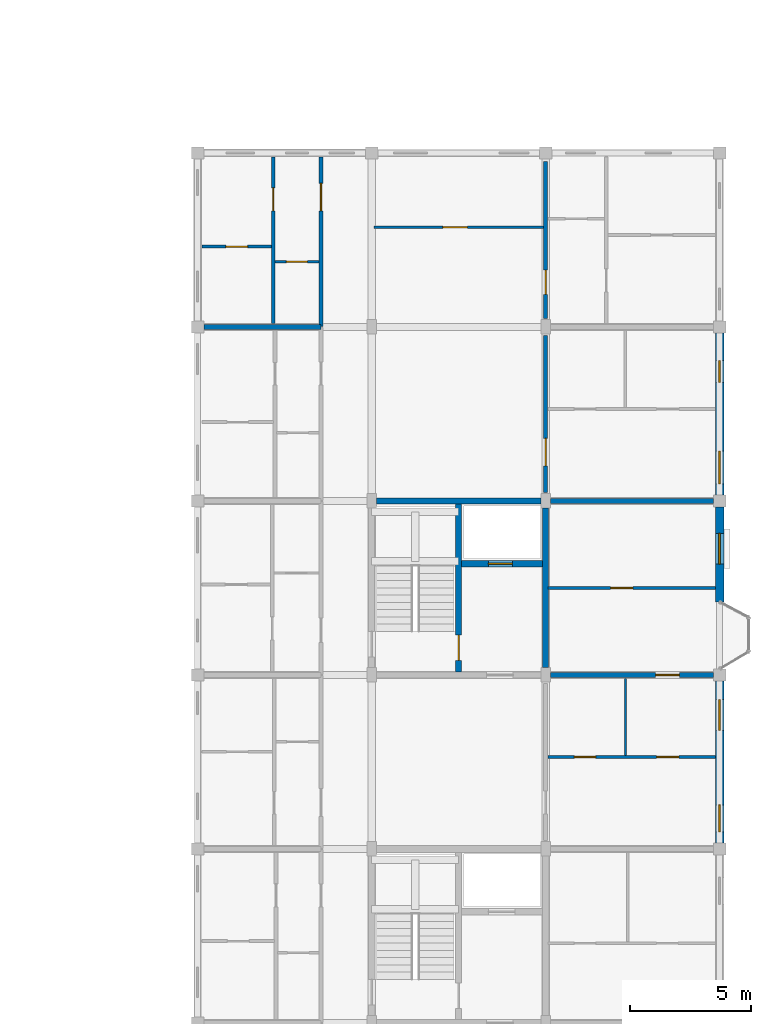
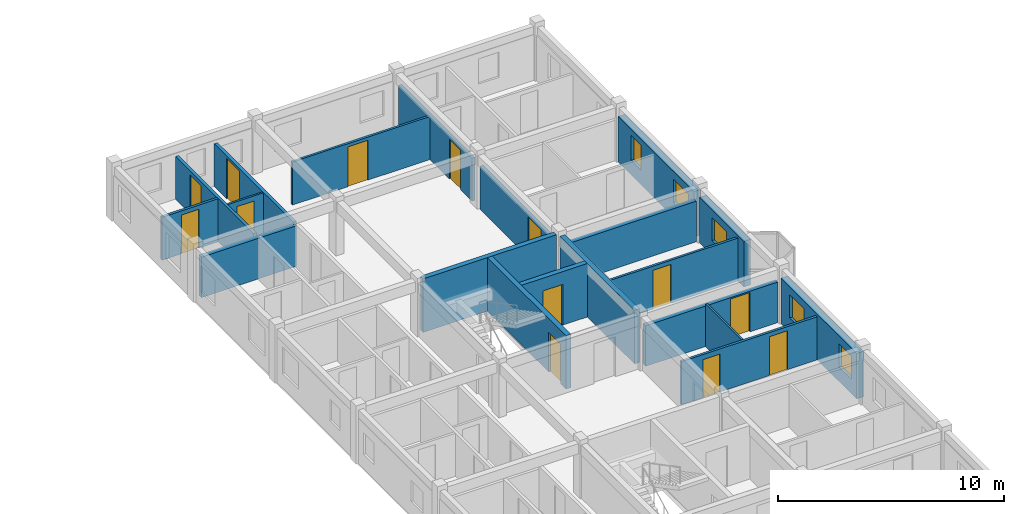
# One storey, part 53 of 65: 20 walls, 13 doors, 5 windows, 18 openings.
"""IFC4 building model written with IfcOpenShell, lengths in metres."""

from ifc_helpers import new_model, si_unit, direction, frame, frame_2d, origin, place, context, subcontext, project, spatial, rectangle, extrude, material, layer, layer_set, type_object, element, fill, save


model = new_model("IFC4")

# Units and contexts
model_context = context("Model", 3, precision=1e-05, world=origin(), true_north=direction((0.0, 1.0)))
body_context = subcontext(model_context, "Body", "Model", "MODEL_VIEW")
ifc_project = project(units=[si_unit("LENGTHUNIT", "METRE"), si_unit("AREAUNIT", "SQUARE_METRE"), si_unit("VOLUMEUNIT", "CUBIC_METRE"), si_unit("PLANEANGLEUNIT", "RADIAN"), si_unit("MASSUNIT", "GRAM", prefix="KILO"), si_unit("THERMODYNAMICTEMPERATUREUNIT", "KELVIN"), si_unit("POWERUNIT", "WATT")], contexts=[model_context])

# Site, building, storey
site_placement = place(None, origin())
site = spatial("IfcSite", under=ifc_project, at=site_placement, CompositionType="ELEMENT")
building_placement = place(site_placement, origin())
building = spatial("IfcBuilding", under=site, at=building_placement, Name="Tavuni Mirador Residences", CompositionType="ELEMENT")
storey_placement = place(building_placement, frame((0.0, 0.0, 29.699951171875)))
storey = spatial("IfcBuildingStorey", under=building, at=storey_placement, Name="L09", CompositionType="ELEMENT", Elevation=29.699951171875)

# Walls
ifc_material_1 = material(Name="Precast concrete C40/50", Category="concrete")
ifc_layer_1 = layer(ifc_material_1, 0.25, Name="Precast concrete C40/50", Category="concrete")
ifc_layer_set_1 = layer_set([ifc_layer_1], Name="Precast concrete C40/50")
wall_type_1 = type_object("IfcWallType", Name="WT-COR250", PredefinedType="SHEAR", material=ifc_layer_set_1)
wall_1_placement = place(storey_placement, frame((104.60009765625, 115.199951171875, 0.0), z_axis=(0.0, 0.0, 1.0), x_axis=(1.0, 0.0, 0.0)))
element("IfcWall", 1, at=wall_1_placement, inside=storey, type_object=wall_type_1, Name="CWALL-C8-L09-N", PredefinedType="SHEAR", context=body_context, shape_type="SweptSolid", body=[
    extrude(rectangle(XDim=6.7998046875, YDim=0.25, at=frame_2d((3.39990234375, 0.0))), origin(), (0.0, 0.0, 1.0), 2.89013671875),
])
wall_2_placement = place(storey_placement, frame((111.60009765625, 108.300048828125, 0.0), z_axis=(0.0, 0.0, 1.0), x_axis=(0.0, 1.0, 0.0)))
element("IfcWall", 2, at=wall_2_placement, inside=storey, type_object=wall_type_1, Name="CWALL-C8-L09-E", PredefinedType="SHEAR", context=body_context, shape_type="SweptSolid", body=[
    extrude(rectangle(XDim=6.599853515625, YDim=0.25, at=frame_2d((3.2998046875, 0.0))), origin(), (0.0, 0.0, 1.0), 2.89013671875),
])

# Wall, opening, door
wall_3_placement = place(storey_placement, frame((108.0, 108.125, 0.0), z_axis=(0.0, 0.0, 1.0), x_axis=(0.0, 1.0, 0.0)))
wall_3 = element("IfcWall", 3, at=wall_3_placement, inside=storey, type_object=wall_type_1, Name="CWALL-C8-L09-MID", PredefinedType="SHEAR", context=body_context, shape_type="SweptSolid", body=[
    extrude(rectangle(XDim=6.949951171875, YDim=0.25, at=frame_2d((3.47509765625, 0.0))), origin(), (0.0, 0.0, 1.0), 2.89013671875),
])
opening_1_placement = place(wall_3_placement, frame((0.47509765625, 0.0, 0.0)))
opening_1 = element("IfcOpeningElement", 4, at=opening_1_placement, cuts=wall_3, Name="Opening D-01", PredefinedType="OPENING", context=body_context, shape_type="SweptSolid", body=[
    extrude(rectangle(XDim=1.050048828125, YDim=2.14990234375, at=frame_2d((0.52490234375, 1.074951171875))), frame((0.0, 0.135009765625, 0.0), z_axis=(0.0, -1.0, 0.0), x_axis=(1.0, 0.0, 0.0)), (0.0, 0.0, 1.0), 0.27001953125),
])
ifc_material_2 = material(Name="Solid core iroko timber", Category="wood")
door_type_1 = type_object("IfcDoorType", Name="DT-ST1050", OperationType="NOTDEFINED", PredefinedType="DOOR", material=ifc_material_2)
door_1_placement = place(opening_1_placement, origin())
door_1 = element("IfcDoor", 5, at=door_1_placement, inside=storey, type_object=door_type_1, Name="DR-2351", OperationType="SINGLE_SWING_LEFT", OverallHeight=2.14990234375, OverallWidth=1.050048828125, PredefinedType="DOOR", context=body_context, shape_type="SweptSolid", body=[
    extrude(rectangle(XDim=1.050048828125, YDim=2.14990234375, at=frame_2d((0.52490234375, 1.074951171875))), frame((0.0, 0.02490234375, 0.0), z_axis=(0.0, -1.0, 0.0), x_axis=(1.0, 0.0, 0.0)), (0.0, 0.0, 1.0), 0.050048828125),
])
fill(opening_1, door_1)

wall_4_placement = place(storey_placement, frame((108.125, 112.60009765625, 0.0), z_axis=(0.0, 0.0, 1.0), x_axis=(1.0, 0.0, 0.0)))
wall_4 = element("IfcWall", 6, at=wall_4_placement, inside=storey, type_object=wall_type_1, Name="CWALL-C8-L09-SHF", PredefinedType="SHEAR", context=body_context, shape_type="SweptSolid", body=[
    extrude(rectangle(XDim=3.35009765625, YDim=0.25, at=frame_2d((1.675048828125, 0.0))), origin(), (0.0, 0.0, 1.0), 2.89013671875),
])
opening_2_placement = place(wall_4_placement, frame((1.10009765625, 0.0, 0.0)))
opening_2 = element("IfcOpeningElement", 7, at=opening_2_placement, cuts=wall_4, Name="Opening LD-02", PredefinedType="OPENING", context=body_context, shape_type="SweptSolid", body=[
    extrude(rectangle(XDim=1.0, YDim=2.199951171875, at=frame_2d((0.5, 1.10009765625))), frame((0.0, 0.135009765625, 0.0), z_axis=(0.0, -1.0, 0.0), x_axis=(1.0, 0.0, 0.0)), (0.0, 0.0, 1.0), 0.27001953125),
])
ifc_material_3 = material(Name="Structural steel S355", Category="steel")
door_type_2 = type_object("IfcDoorType", Name="DT-LD-PAX", OperationType="SLIDING_TO_LEFT", PredefinedType="DOOR", material=ifc_material_3)
door_2_placement = place(opening_2_placement, origin())
door_2 = element("IfcDoor", 8, at=door_2_placement, inside=storey, type_object=door_type_2, Name="Lift landing door PL-D1 L09", OperationType="SLIDING_TO_LEFT", OverallHeight=2.199951171875, OverallWidth=1.0, PredefinedType="DOOR", context=body_context, shape_type="SweptSolid", body=[
    extrude(rectangle(XDim=1.0, YDim=2.199951171875, at=frame_2d((0.5, 1.10009765625))), frame((0.0, 0.02490234375, 0.0), z_axis=(0.0, -1.0, 0.0), x_axis=(1.0, 0.0, 0.0)), (0.0, 0.0, 1.0), 0.050048828125),
])
fill(opening_2, door_2)

ifc_layer_2 = layer(ifc_material_1, 0.1650390625, Name="Precast concrete C40/50", Category="concrete")
ifc_layer_set_2 = layer_set([ifc_layer_2], Name="Precast concrete C40/50")
wall_type_2 = type_object("IfcWallType", Name="WT-CORR165", PredefinedType="PARTITIONING", material=ifc_layer_set_2)
wall_5_placement = place(storey_placement, frame((102.300048828125, 122.419921875, 0.0), z_axis=(0.0, 0.0, 1.0), x_axis=(0.0, 1.0, 0.0)))
wall_5 = element("IfcWall", 9, at=wall_5_placement, inside=storey, type_object=wall_type_2, Name="CORW-BLK-D-L09-0-05", PredefinedType="PARTITIONING", context=body_context, shape_type="SweptSolid", body=[
    extrude(rectangle(XDim=7.005126953125, YDim=0.1650390625, at=frame_2d((3.50244140625, 0.0))), origin(), (0.0, 0.0, 1.0), 2.324951171875),
])
opening_3_placement = place(wall_5_placement, frame((4.780029296875, 0.0, 0.0)))
opening_3 = element("IfcOpeningElement", 10, at=opening_3_placement, cuts=wall_5, Name="Opening D-20", PredefinedType="OPENING", context=body_context, shape_type="SweptSolid", body=[
    extrude(rectangle(XDim=1.139892578125, YDim=2.179931640625, at=frame_2d((0.56982421875, 1.08984375))), frame((0.0, 0.092529296875, 0.0), z_axis=(0.0, -1.0, 0.0), x_axis=(1.0, 0.0, 0.0)), (0.0, 0.0, 1.0), 0.18505859375),
])
door_type_3 = type_object("IfcDoorType", Name="DT-FD60-1140", OperationType="NOTDEFINED", PredefinedType="DOOR", material=ifc_material_2)
door_3_placement = place(opening_3_placement, origin())
door_3 = element("IfcDoor", 11, at=door_3_placement, inside=storey, type_object=door_type_3, Name="DR-2918", OperationType="SINGLE_SWING_LEFT", OverallHeight=2.179931640625, OverallWidth=1.139892578125, PredefinedType="DOOR", context=body_context, shape_type="SweptSolid", body=[
    extrude(rectangle(XDim=1.139892578125, YDim=2.179931640625, at=frame_2d((0.56982421875, 1.08984375))), frame((0.0, 0.02490234375, 0.0), z_axis=(0.0, -1.0, 0.0), x_axis=(1.0, 0.0, 0.0)), (0.0, 0.0, 1.0), 0.050048828125),
])
fill(opening_3, door_3)

wall_6_placement = place(storey_placement, frame((111.60009765625, 115.550048828125, 0.0), z_axis=(0.0, 0.0, 1.0), x_axis=(0.0, 1.0, 0.0)))
wall_6 = element("IfcWall", 12, at=wall_6_placement, inside=storey, type_object=wall_type_2, Name="CORW-BLK-D-L09-1-04", PredefinedType="PARTITIONING", context=body_context, shape_type="SweptSolid", body=[
    extrude(rectangle(XDim=6.5, YDim=0.1650390625, at=frame_2d((3.25, 0.0))), origin(), (0.0, 0.0, 1.0), 2.324951171875),
])
opening_4_placement = place(wall_6_placement, frame((1.10009765625, 0.0, 0.0)))
opening_4 = element("IfcOpeningElement", 13, at=opening_4_placement, cuts=wall_6, Name="Opening D-20", PredefinedType="OPENING", context=body_context, shape_type="SweptSolid", body=[
    extrude(rectangle(XDim=1.139892578125, YDim=2.179931640625, at=frame_2d((0.56982421875, 1.08984375))), frame((0.0, 0.092529296875, 0.0), z_axis=(0.0, -1.0, 0.0), x_axis=(1.0, 0.0, 0.0)), (0.0, 0.0, 1.0), 0.18505859375),
])
door_4_placement = place(opening_4_placement, origin())
door_4 = element("IfcDoor", 14, at=door_4_placement, inside=storey, type_object=door_type_3, Name="DR-2921", OperationType="SINGLE_SWING_RIGHT", OverallHeight=2.179931640625, OverallWidth=1.139892578125, PredefinedType="DOOR", context=body_context, shape_type="SweptSolid", body=[
    extrude(rectangle(XDim=1.139892578125, YDim=2.179931640625, at=frame_2d((0.56982421875, 1.08984375))), frame((0.0, 0.02490234375, 0.0), z_axis=(0.0, -1.0, 0.0), x_axis=(1.0, 0.0, 0.0)), (0.0, 0.0, 1.0), 0.050048828125),
])
fill(opening_4, door_4)

wall_7_placement = place(storey_placement, frame((111.60009765625, 122.75, 0.0), z_axis=(0.0, 0.0, 1.0), x_axis=(0.0, 1.0, 0.0)))
wall_7 = element("IfcWall", 15, at=wall_7_placement, inside=storey, type_object=wall_type_2, Name="CORW-BLK-D-L09-1-05", PredefinedType="PARTITIONING", context=body_context, shape_type="SweptSolid", body=[
    extrude(rectangle(XDim=6.5, YDim=0.1650390625, at=frame_2d((3.25, 0.0))), origin(), (0.0, 0.0, 1.0), 2.324951171875),
])
opening_5_placement = place(wall_7_placement, frame((1.0, 0.0, 0.0)))
opening_5 = element("IfcOpeningElement", 16, at=opening_5_placement, cuts=wall_7, Name="Opening D-03", PredefinedType="OPENING", context=body_context, shape_type="SweptSolid", body=[
    extrude(rectangle(XDim=1.0, YDim=2.14990234375, at=frame_2d((0.5, 1.074951171875))), frame((0.0, 0.092529296875, 0.0), z_axis=(0.0, -1.0, 0.0), x_axis=(1.0, 0.0, 0.0)), (0.0, 0.0, 1.0), 0.18505859375),
])
door_type_4 = type_object("IfcDoorType", Name="DT-FD60-1000", OperationType="NOTDEFINED", PredefinedType="DOOR", material=ifc_material_2)
door_5_placement = place(opening_5_placement, origin())
door_5 = element("IfcDoor", 17, at=door_5_placement, inside=storey, type_object=door_type_4, Name="DR-2922", OperationType="SINGLE_SWING_LEFT", OverallHeight=2.14990234375, OverallWidth=1.0, PredefinedType="DOOR", context=body_context, shape_type="SweptSolid", body=[
    extrude(rectangle(XDim=1.0, YDim=2.14990234375, at=frame_2d((0.5, 1.074951171875))), frame((0.0, 0.02490234375, 0.0), z_axis=(0.0, -1.0, 0.0), x_axis=(1.0, 0.0, 0.0)), (0.0, 0.0, 1.0), 0.050048828125),
])
fill(opening_5, door_5)

# Wall, openings, windows
ifc_material_4 = material(Name="Sgraffito lime-rendered precast concrete C40/50", Category="concrete")
ifc_layer_3 = layer(ifc_material_4, 0.344970703125, Name="Sgraffito lime-rendered precast concrete C40/50", Category="concrete")
ifc_layer_set_3 = layer_set([ifc_layer_3], Name="Sgraffito lime-rendered precast concrete C40/50")
wall_type_3 = type_object("IfcWallType", Name="WT-EXT-PTY345", PredefinedType="SOLIDWALL", material=ifc_layer_set_3)
wall_8_placement = place(storey_placement, frame((118.800048828125, 101.050048828125, 0.0), z_axis=(0.0, 0.0, 1.0), x_axis=(0.0, 1.0, 0.0)))
wall_8 = element("IfcWall", 18, at=wall_8_placement, inside=storey, type_object=wall_type_3, Name="EW-BLK-D-L09-E02", PredefinedType="SOLIDWALL", context=body_context, shape_type="SweptSolid", body=[
    extrude(rectangle(XDim=6.699951171875, YDim=0.344970703125, at=frame_2d((3.35009765625, 0.0))), origin(), (0.0, 0.0, 1.0), 2.4599609375),
])
opening_6_placement = place(wall_8_placement, frame((0.449951171875, 0.0, 0.780029296875)))
opening_6 = element("IfcOpeningElement", 19, at=opening_6_placement, cuts=wall_8, Name="Opening WN-12", PredefinedType="OPENING", context=body_context, shape_type="SweptSolid", body=[
    extrude(rectangle(XDim=1.1201171875, YDim=1.260009765625, at=frame_2d((0.56005859375, 0.6298828125))), frame((0.0, 0.1826171875, 0.0), z_axis=(0.0, -1.0, 0.0), x_axis=(1.0, 0.0, 0.0)), (0.0, 0.0, 1.0), 0.364990234375),
])
opening_7_placement = place(wall_8_placement, frame((4.64990234375, 0.0, 0.780029296875)))
opening_7 = element("IfcOpeningElement", 20, at=opening_7_placement, cuts=wall_8, Name="Opening WN-14", PredefinedType="OPENING", context=body_context, shape_type="SweptSolid", body=[
    extrude(rectangle(XDim=1.280029296875, YDim=1.260009765625, at=frame_2d((0.64013671875, 0.6298828125))), frame((0.0, 0.1826171875, 0.0), z_axis=(0.0, -1.0, 0.0), x_axis=(1.0, 0.0, 0.0)), (0.0, 0.0, 1.0), 0.364990234375),
])
ifc_material_5 = material(Name="Laminated solar-control glass", Category="glass")
window_type_1 = type_object("IfcWindowType", Name="WNT-12", PartitioningType="SINGLE_PANEL", PredefinedType="WINDOW", material=ifc_material_5)
window_1_placement = place(opening_6_placement, origin())
window_1 = element("IfcWindow", 21, at=window_1_placement, inside=storey, type_object=window_type_1, Name="WIN-1772", OverallHeight=1.260009765625, OverallWidth=1.1201171875, PartitioningType="SINGLE_PANEL", PredefinedType="WINDOW", context=body_context, shape_type="SweptSolid", body=[
    extrude(rectangle(XDim=1.1201171875, YDim=1.260009765625, at=frame_2d((0.56005859375, 0.6298828125))), frame((0.0, 0.030029296875, 0.0), z_axis=(0.0, -1.0, 0.0), x_axis=(1.0, 0.0, 0.0)), (0.0, 0.0, 1.0), 0.06005859375),
])
fill(opening_6, window_1)
window_type_2 = type_object("IfcWindowType", Name="WNT-14", PartitioningType="SINGLE_PANEL", PredefinedType="WINDOW", material=ifc_material_5)
window_2_placement = place(opening_7_placement, origin())
window_2 = element("IfcWindow", 22, at=window_2_placement, inside=storey, type_object=window_type_2, Name="WIN-1773", OverallHeight=1.260009765625, OverallWidth=1.280029296875, PartitioningType="SINGLE_PANEL", PredefinedType="WINDOW", context=body_context, shape_type="SweptSolid", body=[
    extrude(rectangle(XDim=1.280029296875, YDim=1.260009765625, at=frame_2d((0.64013671875, 0.6298828125))), frame((0.0, 0.030029296875, 0.0), z_axis=(0.0, -1.0, 0.0), x_axis=(1.0, 0.0, 0.0)), (0.0, 0.0, 1.0), 0.06005859375),
])
fill(opening_7, window_2)

# Wall, opening, window
wall_9_placement = place(storey_placement, frame((118.800048828125, 111.02001953125, 0.0), z_axis=(0.0, 0.0, 1.0), x_axis=(0.0, 1.0, 0.0)))
wall_9 = element("IfcWall", 23, at=wall_9_placement, inside=storey, type_object=wall_type_3, Name="EW-BLK-D-L09-E03", PredefinedType="SOLIDWALL", context=body_context, shape_type="SweptSolid", body=[
    extrude(rectangle(XDim=3.929931640625, YDim=0.344970703125, at=frame_2d((1.96484375, 0.0))), origin(), (0.0, 0.0, 1.0), 2.4599609375),
])
opening_8_placement = place(wall_9_placement, frame((1.56005859375, 0.0, 0.780029296875)))
opening_8 = element("IfcOpeningElement", 24, at=opening_8_placement, cuts=wall_9, Name="Opening WN-14", PredefinedType="OPENING", context=body_context, shape_type="SweptSolid", body=[
    extrude(rectangle(XDim=1.280029296875, YDim=1.260009765625, at=frame_2d((0.64013671875, 0.6298828125))), frame((0.0, 0.1826171875, 0.0), z_axis=(0.0, -1.0, 0.0), x_axis=(1.0, 0.0, 0.0)), (0.0, 0.0, 1.0), 0.364990234375),
])
window_3_placement = place(opening_8_placement, origin())
window_3 = element("IfcWindow", 25, at=window_3_placement, inside=storey, type_object=window_type_2, Name="WIN-1774", OverallHeight=1.260009765625, OverallWidth=1.280029296875, PartitioningType="SINGLE_PANEL", PredefinedType="WINDOW", context=body_context, shape_type="SweptSolid", body=[
    extrude(rectangle(XDim=1.280029296875, YDim=1.260009765625, at=frame_2d((0.64013671875, 0.6298828125))), frame((0.0, 0.030029296875, 0.0), z_axis=(0.0, -1.0, 0.0), x_axis=(1.0, 0.0, 0.0)), (0.0, 0.0, 1.0), 0.06005859375),
])
fill(opening_8, window_3)

# Wall, openings, windows
wall_10_placement = place(storey_placement, frame((118.800048828125, 115.449951171875, 0.0), z_axis=(0.0, 0.0, 1.0), x_axis=(0.0, 1.0, 0.0)))
wall_10 = element("IfcWall", 26, at=wall_10_placement, inside=storey, type_object=wall_type_3, Name="EW-BLK-D-L09-E04", PredefinedType="SOLIDWALL", context=body_context, shape_type="SweptSolid", body=[
    extrude(rectangle(XDim=6.699951171875, YDim=0.344970703125, at=frame_2d((3.35009765625, 0.0))), origin(), (0.0, 0.0, 1.0), 2.4599609375),
])
opening_9_placement = place(wall_10_placement, frame((0.449951171875, 0.0, 0.780029296875)))
opening_9 = element("IfcOpeningElement", 27, at=opening_9_placement, cuts=wall_10, Name="Opening WN-15", PredefinedType="OPENING", context=body_context, shape_type="SweptSolid", body=[
    extrude(rectangle(XDim=1.360107421875, YDim=1.260009765625, at=frame_2d((0.68017578125, 0.6298828125))), frame((0.0, 0.1826171875, 0.0), z_axis=(0.0, -1.0, 0.0), x_axis=(1.0, 0.0, 0.0)), (0.0, 0.0, 1.0), 0.364990234375),
])
opening_10_placement = place(wall_10_placement, frame((4.64990234375, 0.0, 0.780029296875)))
opening_10 = element("IfcOpeningElement", 28, at=opening_10_placement, cuts=wall_10, Name="Opening WN-17", PredefinedType="OPENING", context=body_context, shape_type="SweptSolid", body=[
    extrude(rectangle(XDim=0.89990234375, YDim=1.360107421875, at=frame_2d((0.449951171875, 0.68017578125))), frame((0.0, 0.1826171875, 0.0), z_axis=(0.0, -1.0, 0.0), x_axis=(1.0, 0.0, 0.0)), (0.0, 0.0, 1.0), 0.364990234375),
])
window_type_3 = type_object("IfcWindowType", Name="WNT-15", PartitioningType="SINGLE_PANEL", PredefinedType="WINDOW", material=ifc_material_5)
window_4_placement = place(opening_9_placement, origin())
window_4 = element("IfcWindow", 29, at=window_4_placement, inside=storey, type_object=window_type_3, Name="WIN-1775", OverallHeight=1.260009765625, OverallWidth=1.360107421875, PartitioningType="SINGLE_PANEL", PredefinedType="WINDOW", context=body_context, shape_type="SweptSolid", body=[
    extrude(rectangle(XDim=1.360107421875, YDim=1.260009765625, at=frame_2d((0.68017578125, 0.6298828125))), frame((0.0, 0.030029296875, 0.0), z_axis=(0.0, -1.0, 0.0), x_axis=(1.0, 0.0, 0.0)), (0.0, 0.0, 1.0), 0.06005859375),
])
fill(opening_9, window_4)
window_type_4 = type_object("IfcWindowType", Name="WNT-17", PartitioningType="SINGLE_PANEL", PredefinedType="WINDOW", material=ifc_material_5)
window_5_placement = place(opening_10_placement, origin())
window_5 = element("IfcWindow", 30, at=window_5_placement, inside=storey, type_object=window_type_4, Name="WIN-1776", OverallHeight=1.360107421875, OverallWidth=0.89990234375, PartitioningType="SINGLE_PANEL", PredefinedType="WINDOW", context=body_context, shape_type="SweptSolid", body=[
    extrude(rectangle(XDim=0.89990234375, YDim=1.360107421875, at=frame_2d((0.449951171875, 0.68017578125))), frame((0.0, 0.030029296875, 0.0), z_axis=(0.0, -1.0, 0.0), x_axis=(1.0, 0.0, 0.0)), (0.0, 0.0, 1.0), 0.06005859375),
])
fill(opening_10, window_5)

# Wall
ifc_material_6 = material(Name="Acoustic gypsum and concrete block partition", Category="concrete")
ifc_layer_4 = layer(ifc_material_6, 0.094970703125, Name="Acoustic gypsum and concrete block partition", Category="concrete")
ifc_layer_set_4 = layer_set([ifc_layer_4], Name="Acoustic gypsum and concrete block partition")
wall_type_4 = type_object("IfcWallType", Name="WT-PART095", PredefinedType="PARTITIONING", material=ifc_layer_set_4)
wall_11_placement = place(storey_placement, frame((114.89990234375, 104.669921875, 0.0), z_axis=(0.0, 0.0, 1.0), x_axis=(0.0, 1.0, 0.0)))
element("IfcWall", 31, at=wall_11_placement, inside=storey, type_object=wall_type_4, Name="PW-BLK-D-L09-PF02-V", PredefinedType="PARTITIONING", context=body_context, shape_type="SweptSolid", body=[
    extrude(rectangle(XDim=3.190185546875, YDim=0.094970703125, at=frame_2d((1.59521484375, 0.0))), origin(), (0.0, 0.0, 1.0), 2.324951171875),
])

# Wall, opening, door
wall_12_placement = place(storey_placement, frame((100.389892578125, 125.10009765625, 0.0), z_axis=(0.0, 0.0, 1.0), x_axis=(1.0, 0.0, 0.0)))
wall_12 = element("IfcWall", 32, at=wall_12_placement, inside=storey, type_object=wall_type_4, Name="PW-BLK-D-L09-W05-IN1", PredefinedType="PARTITIONING", context=body_context, shape_type="SweptSolid", body=[
    extrude(rectangle(XDim=1.820068359375, YDim=0.094970703125, at=frame_2d((0.91015625, 0.0))), origin(), (0.0, 0.0, 1.0), 2.324951171875),
])
opening_11_placement = place(wall_12_placement, frame((0.47509765625, 0.0, 0.0)))
opening_11 = element("IfcOpeningElement", 33, at=opening_11_placement, cuts=wall_12, Name="Opening D-10", PredefinedType="OPENING", context=body_context, shape_type="SweptSolid", body=[
    extrude(rectangle(XDim=0.8701171875, YDim=2.050048828125, at=frame_2d((0.43505859375, 1.02490234375))), frame((0.0, 0.0576171875, 0.0), z_axis=(0.0, -1.0, 0.0), x_axis=(1.0, 0.0, 0.0)), (0.0, 0.0, 1.0), 0.114990234375),
])
door_type_5 = type_object("IfcDoorType", Name="DT-WC870", OperationType="NOTDEFINED", PredefinedType="DOOR", material=ifc_material_2)
door_6_placement = place(opening_11_placement, origin())
door_6 = element("IfcDoor", 34, at=door_6_placement, inside=storey, type_object=door_type_5, Name="DR-4641", OperationType="SINGLE_SWING_RIGHT", OverallHeight=2.050048828125, OverallWidth=0.8701171875, PredefinedType="DOOR", context=body_context, shape_type="SweptSolid", body=[
    extrude(rectangle(XDim=0.8701171875, YDim=2.050048828125, at=frame_2d((0.43505859375, 1.02490234375))), frame((0.0, 0.02490234375, 0.0), z_axis=(0.0, -1.0, 0.0), x_axis=(1.0, 0.0, 0.0)), (0.0, 0.0, 1.0), 0.050048828125),
])
fill(opening_11, door_6)

ifc_layer_5 = layer(ifc_material_6, 0.114990234375, Name="Acoustic gypsum and concrete block partition", Category="concrete")
ifc_layer_set_5 = layer_set([ifc_layer_5], Name="Acoustic gypsum and concrete block partition")
wall_type_5 = type_object("IfcWallType", Name="WT-PART115", PredefinedType="PARTITIONING", material=ifc_layer_set_5)
wall_13_placement = place(storey_placement, frame((111.68994140625, 111.60009765625, 0.0), z_axis=(0.0, 0.0, 1.0), x_axis=(1.0, 0.0, 0.0)))
wall_13 = element("IfcWall", 35, at=wall_13_placement, inside=storey, type_object=wall_type_5, Name="PW-BLK-D-L09-PF03-H", PredefinedType="PARTITIONING", context=body_context, shape_type="SweptSolid", body=[
    extrude(rectangle(XDim=6.93505859375, YDim=0.114990234375, at=frame_2d((3.467529296875, 0.0))), origin(), (0.0, 0.0, 1.0), 2.324951171875),
])
opening_12_placement = place(wall_13_placement, frame((2.60009765625, 0.0, 0.0)))
opening_12 = element("IfcOpeningElement", 36, at=opening_12_placement, cuts=wall_13, Name="Opening D-06", PredefinedType="OPENING", context=body_context, shape_type="SweptSolid", body=[
    extrude(rectangle(XDim=0.919921875, YDim=2.10009765625, at=frame_2d((0.4599609375, 1.050048828125))), frame((0.0, 0.0673828125, 0.0), z_axis=(0.0, -1.0, 0.0), x_axis=(1.0, 0.0, 0.0)), (0.0, 0.0, 1.0), 0.135009765625),
])
door_type_6 = type_object("IfcDoorType", Name="DT-INT920", OperationType="NOTDEFINED", PredefinedType="DOOR", material=ifc_material_2)
door_7_placement = place(opening_12_placement, origin())
door_7 = element("IfcDoor", 37, at=door_7_placement, inside=storey, type_object=door_type_6, Name="DR-4633", OperationType="SINGLE_SWING_RIGHT", OverallHeight=2.10009765625, OverallWidth=0.919921875, PredefinedType="DOOR", context=body_context, shape_type="SweptSolid", body=[
    extrude(rectangle(XDim=0.919921875, YDim=2.10009765625, at=frame_2d((0.4599609375, 1.050048828125))), frame((0.0, 0.02490234375, 0.0), z_axis=(0.0, -1.0, 0.0), x_axis=(1.0, 0.0, 0.0)), (0.0, 0.0, 1.0), 0.050048828125),
])
fill(opening_12, door_7)

wall_14_placement = place(storey_placement, frame((104.489990234375, 126.52001953125, 0.0), z_axis=(0.0, 0.0, 1.0), x_axis=(1.0, 0.0, 0.0)))
wall_14 = element("IfcWall", 38, at=wall_14_placement, inside=storey, type_object=wall_type_5, Name="PW-SPN-BLK-D-L09-05", PredefinedType="PARTITIONING", context=body_context, shape_type="SweptSolid", body=[
    extrude(rectangle(XDim=7.02001953125, YDim=0.114990234375, at=frame_2d((3.510009765625, 0.0))), origin(), (0.0, 0.0, 1.0), 2.324951171875),
])
opening_13_placement = place(wall_14_placement, frame((2.85009765625, 0.0, 0.0)))
opening_13 = element("IfcOpeningElement", 39, at=opening_13_placement, cuts=wall_14, Name="Opening D-13", PredefinedType="OPENING", context=body_context, shape_type="SweptSolid", body=[
    extrude(rectangle(XDim=1.02001953125, YDim=2.14990234375, at=frame_2d((0.510009765625, 1.074951171875))), frame((0.0, 0.0673828125, 0.0), z_axis=(0.0, -1.0, 0.0), x_axis=(1.0, 0.0, 0.0)), (0.0, 0.0, 1.0), 0.135009765625),
])
door_type_7 = type_object("IfcDoorType", Name="DT-MTG1020", OperationType="NOTDEFINED", PredefinedType="DOOR", material=ifc_material_2)
door_8_placement = place(opening_13_placement, origin())
door_8 = element("IfcDoor", 40, at=door_8_placement, inside=storey, type_object=door_type_7, Name="DR-4639", OperationType="SINGLE_SWING_LEFT", OverallHeight=2.14990234375, OverallWidth=1.02001953125, PredefinedType="DOOR", context=body_context, shape_type="SweptSolid", body=[
    extrude(rectangle(XDim=1.02001953125, YDim=2.14990234375, at=frame_2d((0.510009765625, 1.074951171875))), frame((0.0, 0.02490234375, 0.0), z_axis=(0.0, -1.0, 0.0), x_axis=(1.0, 0.0, 0.0)), (0.0, 0.0, 1.0), 0.050048828125),
])
fill(opening_13, door_8)

# Wall, openings, doors
ifc_layer_6 = layer(ifc_material_6, 0.125, Name="Acoustic gypsum and concrete block partition", Category="concrete")
ifc_layer_set_6 = layer_set([ifc_layer_6], Name="Acoustic gypsum and concrete block partition")
wall_type_6 = type_object("IfcWallType", Name="WT-PART125", PredefinedType="PARTITIONING", material=ifc_layer_set_6)
wall_15_placement = place(storey_placement, frame((111.68994140625, 104.60009765625, 0.0), z_axis=(0.0, 0.0, 1.0), x_axis=(1.0, 0.0, 0.0)))
wall_15 = element("IfcWall", 41, at=wall_15_placement, inside=storey, type_object=wall_type_6, Name="PW-BLK-D-L09-PF02-H", PredefinedType="PARTITIONING", context=body_context, shape_type="SweptSolid", body=[
    extrude(rectangle(XDim=6.93505859375, YDim=0.125, at=frame_2d((3.467529296875, 0.0))), origin(), (0.0, 0.0, 1.0), 2.324951171875),
])
opening_14_placement = place(wall_15_placement, frame((1.10009765625, 0.0, 0.0)))
opening_14 = element("IfcOpeningElement", 42, at=opening_14_placement, cuts=wall_15, Name="Opening D-10", PredefinedType="OPENING", context=body_context, shape_type="SweptSolid", body=[
    extrude(rectangle(XDim=0.8701171875, YDim=2.050048828125, at=frame_2d((0.43505859375, 1.02490234375))), frame((0.0, 0.072509765625, 0.0), z_axis=(0.0, -1.0, 0.0), x_axis=(1.0, 0.0, 0.0)), (0.0, 0.0, 1.0), 0.14501953125),
])
opening_15_placement = place(wall_15_placement, frame((4.5, 0.0, 0.0)))
opening_15 = element("IfcOpeningElement", 43, at=opening_15_placement, cuts=wall_15, Name="Opening D-06", PredefinedType="OPENING", context=body_context, shape_type="SweptSolid", body=[
    extrude(rectangle(XDim=0.919921875, YDim=2.10009765625, at=frame_2d((0.4599609375, 1.050048828125))), frame((0.0, 0.072509765625, 0.0), z_axis=(0.0, -1.0, 0.0), x_axis=(1.0, 0.0, 0.0)), (0.0, 0.0, 1.0), 0.14501953125),
])
door_9_placement = place(opening_15_placement, origin())
door_9 = element("IfcDoor", 44, at=door_9_placement, inside=storey, type_object=door_type_6, Name="DR-4629", OperationType="SINGLE_SWING_RIGHT", OverallHeight=2.10009765625, OverallWidth=0.919921875, PredefinedType="DOOR", context=body_context, shape_type="SweptSolid", body=[
    extrude(rectangle(XDim=0.919921875, YDim=2.10009765625, at=frame_2d((0.4599609375, 1.050048828125))), frame((0.0, 0.02490234375, 0.0), z_axis=(0.0, -1.0, 0.0), x_axis=(1.0, 0.0, 0.0)), (0.0, 0.0, 1.0), 0.050048828125),
])
fill(opening_15, door_9)
door_10_placement = place(opening_14_placement, origin())
door_10 = element("IfcDoor", 45, at=door_10_placement, inside=storey, type_object=door_type_5, Name="DR-4628", OperationType="SINGLE_SWING_LEFT", OverallHeight=2.050048828125, OverallWidth=0.8701171875, PredefinedType="DOOR", context=body_context, shape_type="SweptSolid", body=[
    extrude(rectangle(XDim=0.8701171875, YDim=2.050048828125, at=frame_2d((0.43505859375, 1.02490234375))), frame((0.0, 0.02490234375, 0.0), z_axis=(0.0, -1.0, 0.0), x_axis=(1.0, 0.0, 0.0)), (0.0, 0.0, 1.0), 0.050048828125),
])
fill(opening_14, door_10)

# Wall, opening, door
wall_16_placement = place(storey_placement, frame((97.375, 125.719970703125, 0.0), z_axis=(0.0, 0.0, 1.0), x_axis=(1.0, 0.0, 0.0)))
wall_16 = element("IfcWall", 46, at=wall_16_placement, inside=storey, type_object=wall_type_6, Name="PW-BLK-D-L09-W05-OUT", PredefinedType="PARTITIONING", context=body_context, shape_type="SweptSolid", body=[
    extrude(rectangle(XDim=2.875, YDim=0.125, at=frame_2d((1.4375, 0.0))), origin(), (0.0, 0.0, 1.0), 2.324951171875),
])
opening_16_placement = place(wall_16_placement, frame((0.987548828125, 0.0, 0.0)))
opening_16 = element("IfcOpeningElement", 47, at=opening_16_placement, cuts=wall_16, Name="Opening D-07", PredefinedType="OPENING", context=body_context, shape_type="SweptSolid", body=[
    extrude(rectangle(XDim=0.89990234375, YDim=2.10009765625, at=frame_2d((0.449951171875, 1.050048828125))), frame((0.0, 0.072509765625, 0.0), z_axis=(0.0, -1.0, 0.0), x_axis=(1.0, 0.0, 0.0)), (0.0, 0.0, 1.0), 0.14501953125),
])
door_type_8 = type_object("IfcDoorType", Name="DT-BED900", OperationType="NOTDEFINED", PredefinedType="DOOR", material=ifc_material_2)
door_11_placement = place(opening_16_placement, origin())
door_11 = element("IfcDoor", 48, at=door_11_placement, inside=storey, type_object=door_type_8, Name="DR-4640", OperationType="SINGLE_SWING_LEFT", OverallHeight=2.10009765625, OverallWidth=0.89990234375, PredefinedType="DOOR", context=body_context, shape_type="SweptSolid", body=[
    extrude(rectangle(XDim=0.89990234375, YDim=2.10009765625, at=frame_2d((0.449951171875, 1.050048828125))), frame((0.0, 0.02490234375, 0.0), z_axis=(0.0, -1.0, 0.0), x_axis=(1.0, 0.0, 0.0)), (0.0, 0.0, 1.0), 0.050048828125),
])
fill(opening_16, door_11)

ifc_layer_7 = layer(ifc_material_6, 0.14990234375, Name="Acoustic gypsum and concrete block partition", Category="concrete")
ifc_layer_set_7 = layer_set([ifc_layer_7], Name="Acoustic gypsum and concrete block partition")
wall_type_7 = type_object("IfcWallType", Name="WT-PART150", PredefinedType="PARTITIONING", material=ifc_layer_set_7)
wall_17_placement = place(storey_placement, frame((100.320068359375, 122.5400390625, 0.0), z_axis=(0.0, 0.0, 1.0), x_axis=(0.0, 1.0, 0.0)))
wall_17 = element("IfcWall", 49, at=wall_17_placement, inside=storey, type_object=wall_type_7, Name="PW-BLK-D-L09-W05-MID", PredefinedType="PARTITIONING", context=body_context, shape_type="SweptSolid", body=[
    extrude(rectangle(XDim=6.885009765625, YDim=0.14990234375, at=frame_2d((3.4423828125, 0.0))), origin(), (0.0, 0.0, 1.0), 2.324951171875),
])
opening_17_placement = place(wall_17_placement, frame((4.659912109375, 0.0, 0.0)))
opening_17 = element("IfcOpeningElement", 50, at=opening_17_placement, cuts=wall_17, Name="Opening D-05", PredefinedType="OPENING", context=body_context, shape_type="SweptSolid", body=[
    extrude(rectangle(XDim=0.949951171875, YDim=2.10009765625, at=frame_2d((0.47509765625, 1.050048828125))), frame((0.0, 0.0849609375, 0.0), z_axis=(0.0, -1.0, 0.0), x_axis=(1.0, 0.0, 0.0)), (0.0, 0.0, 1.0), 0.169921875),
])
door_type_9 = type_object("IfcDoorType", Name="DT-INT950", OperationType="NOTDEFINED", PredefinedType="DOOR", material=ifc_material_2)
door_12_placement = place(opening_17_placement, origin())
door_12 = element("IfcDoor", 51, at=door_12_placement, inside=storey, type_object=door_type_9, Name="DR-4642", OperationType="SINGLE_SWING_LEFT", OverallHeight=2.10009765625, OverallWidth=0.949951171875, PredefinedType="DOOR", context=body_context, shape_type="SweptSolid", body=[
    extrude(rectangle(XDim=0.949951171875, YDim=2.10009765625, at=frame_2d((0.47509765625, 1.050048828125))), frame((0.0, 0.02490234375, 0.0), z_axis=(0.0, -1.0, 0.0), x_axis=(1.0, 0.0, 0.0)), (0.0, 0.0, 1.0), 0.050048828125),
])
fill(opening_17, door_12)

ifc_layer_8 = layer(ifc_material_1, 0.215087890625, Name="Precast concrete C40/50", Category="concrete")
ifc_layer_set_8 = layer_set([ifc_layer_8], Name="Precast concrete C40/50")
wall_type_8 = type_object("IfcWallType", Name="WT-XW215", PredefinedType="SOLIDWALL", material=ifc_layer_set_8)
wall_18_placement = place(storey_placement, frame((111.800048828125, 108.0, 0.0), z_axis=(0.0, 0.0, 1.0), x_axis=(1.0, 0.0, 0.0)))
wall_18 = element("IfcWall", 52, at=wall_18_placement, inside=storey, type_object=wall_type_8, Name="XW-BLK-D-L09-E-03", PredefinedType="SOLIDWALL", context=body_context, shape_type="SweptSolid", body=[
    extrude(rectangle(XDim=6.75, YDim=0.215087890625, at=frame_2d((3.375, 0.0))), origin(), (0.0, 0.0, 1.0), 2.18994140625),
])
opening_18_placement = place(wall_18_placement, frame((4.35009765625, 0.0, 0.0)))
opening_18 = element("IfcOpeningElement", 53, at=opening_18_placement, cuts=wall_18, Name="Opening D-04", PredefinedType="OPENING", context=body_context, shape_type="SweptSolid", body=[
    extrude(rectangle(XDim=0.97998046875, YDim=2.1201171875, at=frame_2d((0.489990234375, 1.06005859375))), frame((0.0, 0.11767578125, 0.0), z_axis=(0.0, -1.0, 0.0), x_axis=(1.0, 0.0, 0.0)), (0.0, 0.0, 1.0), 0.235107421875),
])
door_type_10 = type_object("IfcDoorType", Name="DT-FD60-980", OperationType="NOTDEFINED", PredefinedType="DOOR", material=ifc_material_2)
door_13_placement = place(opening_18_placement, origin())
door_13 = element("IfcDoor", 54, at=door_13_placement, inside=storey, type_object=door_type_10, Name="DR-4777", OperationType="SINGLE_SWING_RIGHT", OverallHeight=2.1201171875, OverallWidth=0.97998046875, PredefinedType="DOOR", context=body_context, shape_type="SweptSolid", body=[
    extrude(rectangle(XDim=0.97998046875, YDim=2.1201171875, at=frame_2d((0.489990234375, 1.06005859375))), frame((0.0, 0.02490234375, 0.0), z_axis=(0.0, -1.0, 0.0), x_axis=(1.0, 0.0, 0.0)), (0.0, 0.0, 1.0), 0.050048828125),
])
fill(opening_18, door_13)

# Walls
wall_19_placement = place(storey_placement, frame((111.800048828125, 115.199951171875, 0.0), z_axis=(0.0, 0.0, 1.0), x_axis=(1.0, 0.0, 0.0)))
element("IfcWall", 55, at=wall_19_placement, inside=storey, type_object=wall_type_8, Name="XW-BLK-D-L09-E-04", PredefinedType="SOLIDWALL", context=body_context, shape_type="SweptSolid", body=[
    extrude(rectangle(XDim=6.75, YDim=0.215087890625, at=frame_2d((3.375, 0.0))), origin(), (0.0, 0.0, 1.0), 2.18994140625),
])
wall_20_placement = place(storey_placement, frame((97.449951171875, 122.39990234375, 0.0), z_axis=(0.0, 0.0, 1.0), x_axis=(1.0, 0.0, 0.0)))
element("IfcWall", 56, at=wall_20_placement, inside=storey, type_object=wall_type_8, Name="XW-BLK-D-L09-W-05", PredefinedType="SOLIDWALL", context=body_context, shape_type="SweptSolid", body=[
    extrude(rectangle(XDim=4.85009765625, YDim=0.215087890625, at=frame_2d((2.425048828125, 0.0))), origin(), (0.0, 0.0, 1.0), 2.18994140625),
])

save(model, "model.ifc")
